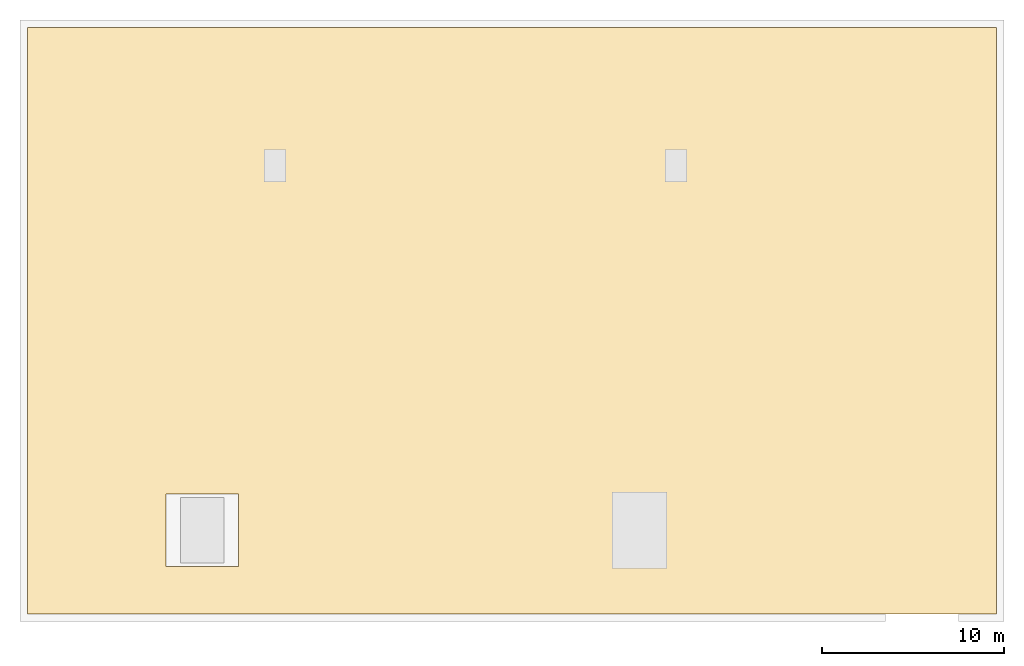
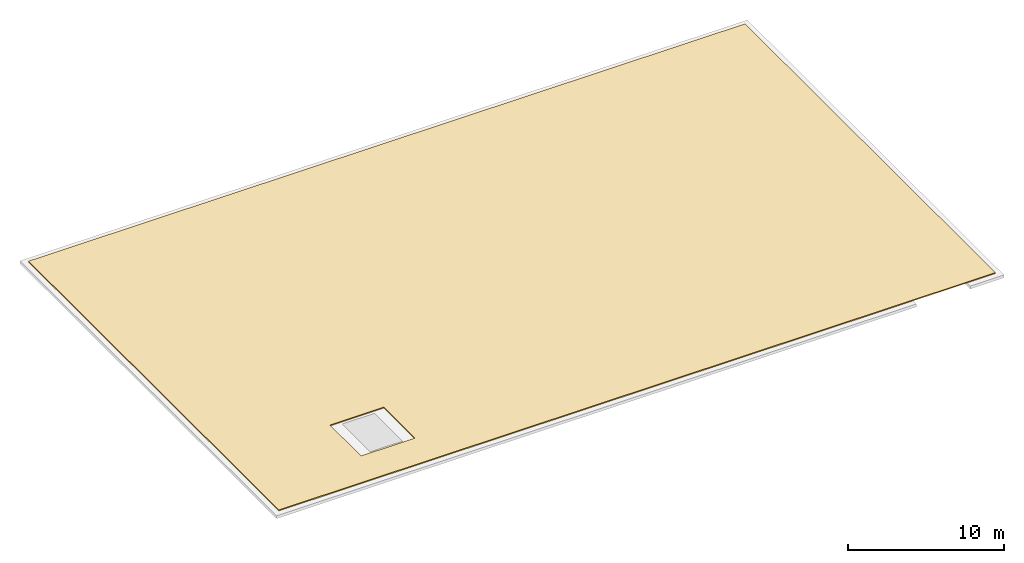
# One storey, part 2 of 2: 1 covering.
"""IFC4 building model written with IfcOpenShell, lengths in metres."""

from ifc_helpers import new_model, si_unit, direction, frame, origin, place, context, subcontext, project, spatial, polyline, outline, extrude, material, layer, layer_set, type_object, element, save


model = new_model("IFC4")

# Units and contexts
model_context = context("Model", 3, precision=1e-05, world=origin(), true_north=direction((0.0, 1.0)))
body_context = subcontext(model_context, "Body", "Model", "MODEL_VIEW")
ifc_project = project(units=[si_unit("LENGTHUNIT", "METRE"), si_unit("AREAUNIT", "SQUARE_METRE"), si_unit("VOLUMEUNIT", "CUBIC_METRE"), si_unit("PLANEANGLEUNIT", "RADIAN"), si_unit("MASSUNIT", "GRAM", prefix="KILO")], contexts=[model_context])

# Site, building, storey
site_placement = place(None, origin())
site = spatial("IfcSite", under=ifc_project, at=site_placement, CompositionType="ELEMENT")
building_placement = place(site_placement, origin())
building = spatial("IfcBuilding", under=site, at=building_placement, Name="Marlcrest Central Station", CompositionType="ELEMENT")
storey_placement = place(building_placement, frame((0.0, 0.0, 28.199951171875)))
storey = spatial("IfcBuildingStorey", under=building, at=storey_placement, Name="Roof", CompositionType="ELEMENT", Elevation=28.199951171875)

# Covering
ifc_material = material(Name="Insulated TPO cool-roof membrane")
ifc_layer = layer(ifc_material, 0.080078125, Name="CV-RF1")
ifc_layer_set = layer_set([ifc_layer], Name="Insulated TPO cool-roof membrane")
covering_type = type_object("IfcCoveringType", Name="CV-RF1", PredefinedType="ROOFING", material=ifc_layer_set)
covering_placement = place(storey_placement, origin())
element("IfcCovering", 1, at=covering_placement, inside=storey, type_object=covering_type, Name="cov-rf-0004", PredefinedType="ROOFING", context=body_context, shape_type="SweptSolid", body=[
    extrude(outline(polyline([(0.39990234375, 99.39990234375), (53.60009765625, 99.39990234375), (53.60009765625, 131.60009765625), (0.39990234375, 131.60009765625), (0.39990234375, 99.39990234375)]), holes=[polyline([(8.0, 102.0), (12.0, 102.0), (12.0, 106.0), (8.0, 106.0), (8.0, 102.0)])]), origin(), (0.0, 0.0, 1.0), 0.080078125),
])

save(model, "model.ifc")
